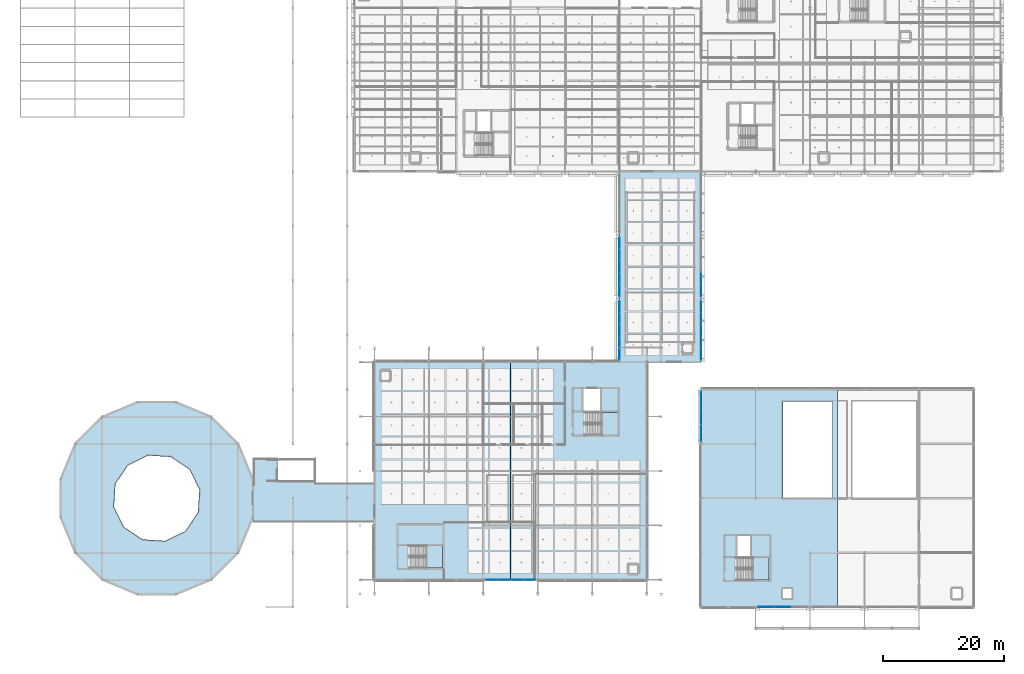
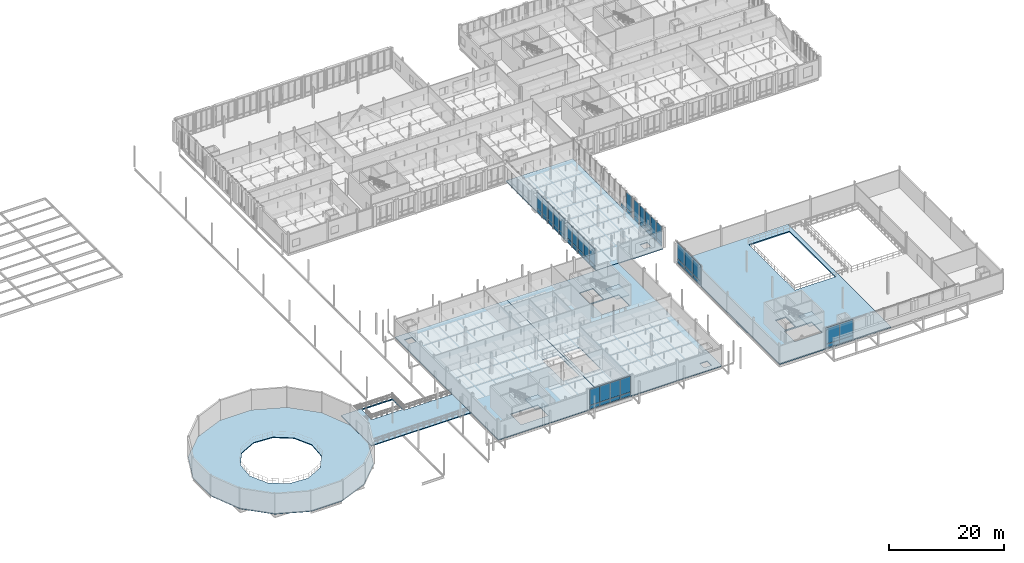
# One storey, part 55 of 130: 51 plates, 9 slabs, 10 elements without a shape of their own.
"""IFC4 building model written with IfcOpenShell, lengths in metres."""

from ifc_helpers import new_model, si_unit, direction, frame, origin, origin_2d, place, context, subcontext, project, spatial, polyline, rectangle, outline, extrude, material, layer, layer_set, type_object, element, aggregate, save


model = new_model("IFC4")

# Units and contexts
model_context = context("Model", 3, precision=1e-05, world=origin(), true_north=direction((0.0, 1.0)))
body_context = subcontext(model_context, "Body", "Model", "MODEL_VIEW")
ifc_project = project(units=[si_unit("LENGTHUNIT", "METRE"), si_unit("AREAUNIT", "SQUARE_METRE"), si_unit("VOLUMEUNIT", "CUBIC_METRE"), si_unit("PLANEANGLEUNIT", "RADIAN"), si_unit("MASSUNIT", "GRAM", prefix="KILO"), si_unit("THERMODYNAMICTEMPERATUREUNIT", "KELVIN"), si_unit("POWERUNIT", "WATT")], contexts=[model_context])

# Site, building, storey
site_placement = place(None, origin())
site = spatial("IfcSite", under=ifc_project, at=site_placement, CompositionType="ELEMENT")
building_placement = place(site_placement, origin())
building = spatial("IfcBuilding", under=site, at=building_placement, Name="Tallowbark Science Centre", CompositionType="ELEMENT")
storey_placement = place(building_placement, frame((0.0, 0.0, 5.39990234375)))
storey = spatial("IfcBuildingStorey", under=building, at=storey_placement, Name="L01", CompositionType="ELEMENT", Elevation=5.39990234375)

# Curtain wall, plates
ifc_material_1 = material(Name="Unitised Thermally Broken Aluminium and Low-E Double Glazing", Category="aluminium")
curtain_wall_type = type_object("IfcCurtainWallType", Name="CW-SYS-FACADE", PredefinedType="NOTDEFINED", material=ifc_material_1)
curtain_wall_1_placement = place(storey_placement, origin())
curtain_wall_1 = element("IfcCurtainWall", 1, at=curtain_wall_1_placement, inside=storey, type_object=curtain_wall_type, Name="Unitised Curtain Wall CUB-PORTAL-L01 CW-L01-001", PredefinedType="NOTDEFINED")
ifc_material_2 = material(Name="Double Glazed Argon Low-E Vision Glass", Category="glass")
ifc_layer_1 = layer(ifc_material_2, 0.028076171875)
ifc_layer_set_1 = layer_set([ifc_layer_1], Name="Double Glazed Argon Low-E Vision Glass")
plate_type_1 = type_object("IfcPlateType", Name="CWP-GLZ-28", PredefinedType="CURTAIN_PANEL", material=ifc_layer_set_1)
plate_1_placement = place(storey_placement, frame((77.90380859375, 4.5, 0.05517578125), z_axis=(0.0, 0.0, 1.0), x_axis=(1.0, 0.0, 0.0)))
plate_1 = element("IfcPlate", 2, at=plate_1_placement, type_object=plate_type_1, Name="CW-01 panel 1.1", PredefinedType="CURTAIN_PANEL", context=body_context, shape_type="SweptSolid", body=[
    extrude(rectangle(XDim=1.9775390625, YDim=0.028076171875, at=origin_2d()), origin(), (0.0, 0.0, 1.0), 0.767578125),
])
plate_2_placement = place(storey_placement, frame((77.90380859375, 4.5, 0.87744140625), z_axis=(0.0, 0.0, 1.0), x_axis=(1.0, 0.0, 0.0)))
plate_2 = element("IfcPlate", 3, at=plate_2_placement, type_object=plate_type_1, Name="CW-01 panel 1.2", PredefinedType="CURTAIN_PANEL", context=body_context, shape_type="SweptSolid", body=[
    extrude(rectangle(XDim=1.9775390625, YDim=0.028076171875, at=origin_2d()), origin(), (0.0, 0.0, 1.0), 3.387451171875),
])
plate_3_placement = place(storey_placement, frame((79.96240234375, 4.5, 0.05517578125), z_axis=(0.0, 0.0, 1.0), x_axis=(1.0, 0.0, 0.0)))
plate_3 = element("IfcPlate", 4, at=plate_3_placement, type_object=plate_type_1, Name="CW-01 panel 2.1", PredefinedType="CURTAIN_PANEL", context=body_context, shape_type="SweptSolid", body=[
    extrude(rectangle(XDim=2.010009765625, YDim=0.028076171875, at=origin_2d()), origin(), (0.0, 0.0, 1.0), 0.767578125),
])
plate_4_placement = place(storey_placement, frame((79.96240234375, 4.5, 0.87744140625), z_axis=(0.0, 0.0, 1.0), x_axis=(1.0, 0.0, 0.0)))
plate_4 = element("IfcPlate", 5, at=plate_4_placement, type_object=plate_type_1, Name="CW-01 panel 2.2", PredefinedType="CURTAIN_PANEL", context=body_context, shape_type="SweptSolid", body=[
    extrude(rectangle(XDim=2.010009765625, YDim=0.028076171875, at=origin_2d()), origin(), (0.0, 0.0, 1.0), 3.387451171875),
])
plate_5_placement = place(storey_placement, frame((82.03759765625, 4.5, 0.05517578125), z_axis=(0.0, 0.0, 1.0), x_axis=(1.0, 0.0, 0.0)))
plate_5 = element("IfcPlate", 6, at=plate_5_placement, type_object=plate_type_1, Name="CW-01 panel 3.1", PredefinedType="CURTAIN_PANEL", context=body_context, shape_type="SweptSolid", body=[
    extrude(rectangle(XDim=2.010009765625, YDim=0.028076171875, at=origin_2d()), origin(), (0.0, 0.0, 1.0), 0.767578125),
])
plate_6_placement = place(storey_placement, frame((82.03759765625, 4.5, 0.87744140625), z_axis=(0.0, 0.0, 1.0), x_axis=(1.0, 0.0, 0.0)))
plate_6 = element("IfcPlate", 7, at=plate_6_placement, type_object=plate_type_1, Name="CW-01 panel 3.2", PredefinedType="CURTAIN_PANEL", context=body_context, shape_type="SweptSolid", body=[
    extrude(rectangle(XDim=2.010009765625, YDim=0.028076171875, at=origin_2d()), origin(), (0.0, 0.0, 1.0), 3.387451171875),
])
plate_7_placement = place(storey_placement, frame((84.09619140625, 4.5, 0.05517578125), z_axis=(0.0, 0.0, 1.0), x_axis=(1.0, 0.0, 0.0)))
plate_7 = element("IfcPlate", 8, at=plate_7_placement, type_object=plate_type_1, Name="CW-01 panel 4.1", PredefinedType="CURTAIN_PANEL", context=body_context, shape_type="SweptSolid", body=[
    extrude(rectangle(XDim=1.9775390625, YDim=0.028076171875, at=origin_2d()), origin(), (0.0, 0.0, 1.0), 0.767578125),
])
plate_8_placement = place(storey_placement, frame((84.09619140625, 4.5, 0.87744140625), z_axis=(0.0, 0.0, 1.0), x_axis=(1.0, 0.0, 0.0)))
plate_8 = element("IfcPlate", 9, at=plate_8_placement, type_object=plate_type_1, Name="CW-01 panel 4.2", PredefinedType="CURTAIN_PANEL", context=body_context, shape_type="SweptSolid", body=[
    extrude(rectangle(XDim=1.9775390625, YDim=0.028076171875, at=origin_2d()), origin(), (0.0, 0.0, 1.0), 3.387451171875),
])
aggregate(curtain_wall_1, [plate_1, plate_2, plate_3, plate_4, plate_5, plate_6, plate_7, plate_8])

curtain_wall_2_placement = place(storey_placement, origin())
curtain_wall_2 = element("IfcCurtainWall", 10, at=curtain_wall_2_placement, inside=storey, type_object=curtain_wall_type, Name="Unitised Curtain Wall THT-POR-S-1 CW-L01-002", PredefinedType="NOTDEFINED")
plate_9_placement = place(storey_placement, frame((123.24951171875, 0.0, 0.05517578125), z_axis=(0.0, 0.0, 1.0), x_axis=(1.0, 0.0, 0.0)))
plate_9 = element("IfcPlate", 11, at=plate_9_placement, type_object=plate_type_1, Name="CW-01 panel 1.1", PredefinedType="CURTAIN_PANEL", context=body_context, shape_type="SweptSolid", body=[
    extrude(rectangle(XDim=2.669189453125, YDim=0.028076171875, at=origin_2d()), origin(), (0.0, 0.0, 1.0), 0.767578125),
])
plate_10_placement = place(storey_placement, frame((123.24951171875, 0.0, 0.87744140625), z_axis=(0.0, 0.0, 1.0), x_axis=(1.0, 0.0, 0.0)))
plate_10 = element("IfcPlate", 12, at=plate_10_placement, type_object=plate_type_1, Name="CW-01 panel 1.2", PredefinedType="CURTAIN_PANEL", context=body_context, shape_type="SweptSolid", body=[
    extrude(rectangle(XDim=2.669189453125, YDim=0.028076171875, at=origin_2d()), origin(), (0.0, 0.0, 1.0), 3.387451171875),
])
plate_11_placement = place(storey_placement, frame((126.0, 0.0, 0.05517578125), z_axis=(0.0, 0.0, 1.0), x_axis=(1.0, 0.0, 0.0)))
plate_11 = element("IfcPlate", 13, at=plate_11_placement, type_object=plate_type_1, Name="CW-01 panel 2.1", PredefinedType="CURTAIN_PANEL", context=body_context, shape_type="SweptSolid", body=[
    extrude(rectangle(XDim=2.70166015625, YDim=0.028076171875, at=origin_2d()), origin(), (0.0, 0.0, 1.0), 0.767578125),
])
plate_12_placement = place(storey_placement, frame((126.0, 0.0, 0.87744140625), z_axis=(0.0, 0.0, 1.0), x_axis=(1.0, 0.0, 0.0)))
plate_12 = element("IfcPlate", 14, at=plate_12_placement, type_object=plate_type_1, Name="CW-01 panel 2.2", PredefinedType="CURTAIN_PANEL", context=body_context, shape_type="SweptSolid", body=[
    extrude(rectangle(XDim=2.70166015625, YDim=0.028076171875, at=origin_2d()), origin(), (0.0, 0.0, 1.0), 3.387451171875),
])
aggregate(curtain_wall_2, [plate_9, plate_10, plate_11, plate_12])

curtain_wall_3_placement = place(storey_placement, origin())
curtain_wall_3 = element("IfcCurtainWall", 15, at=curtain_wall_3_placement, inside=storey, type_object=curtain_wall_type, Name="Unitised Curtain Wall THT-W-3 CW-L01-005", PredefinedType="NOTDEFINED")
plate_13_placement = place(storey_placement, frame((112.5, 34.25048828125, 0.05517578125), z_axis=(0.0, 0.0, 1.0), x_axis=(0.0, -1.0, 0.0)))
plate_13 = element("IfcPlate", 16, at=plate_13_placement, type_object=plate_type_1, Name="CW-01 panel 1.1", PredefinedType="CURTAIN_PANEL", context=body_context, shape_type="SweptSolid", body=[
    extrude(rectangle(XDim=2.669189453125, YDim=0.028076171875, at=origin_2d()), origin(), (0.0, 0.0, 1.0), 0.767578125),
])
plate_14_placement = place(storey_placement, frame((112.5, 34.25048828125, 0.87744140625), z_axis=(0.0, 0.0, 1.0), x_axis=(0.0, -1.0, 0.0)))
plate_14 = element("IfcPlate", 17, at=plate_14_placement, type_object=plate_type_1, Name="CW-01 panel 1.2", PredefinedType="CURTAIN_PANEL", context=body_context, shape_type="SweptSolid", body=[
    extrude(rectangle(XDim=2.669189453125, YDim=0.028076171875, at=origin_2d()), origin(), (0.0, 0.0, 1.0), 3.387451171875),
])
plate_15_placement = place(storey_placement, frame((112.5, 31.5, 0.05517578125), z_axis=(0.0, 0.0, 1.0), x_axis=(0.0, -1.0, 0.0)))
plate_15 = element("IfcPlate", 18, at=plate_15_placement, type_object=plate_type_1, Name="CW-01 panel 2.1", PredefinedType="CURTAIN_PANEL", context=body_context, shape_type="SweptSolid", body=[
    extrude(rectangle(XDim=2.70166015625, YDim=0.028076171875, at=origin_2d()), origin(), (0.0, 0.0, 1.0), 0.767578125),
])
plate_16_placement = place(storey_placement, frame((112.5, 31.5, 0.87744140625), z_axis=(0.0, 0.0, 1.0), x_axis=(0.0, -1.0, 0.0)))
plate_16 = element("IfcPlate", 19, at=plate_16_placement, type_object=plate_type_1, Name="CW-01 panel 2.2", PredefinedType="CURTAIN_PANEL", context=body_context, shape_type="SweptSolid", body=[
    extrude(rectangle(XDim=2.70166015625, YDim=0.028076171875, at=origin_2d()), origin(), (0.0, 0.0, 1.0), 3.387451171875),
])
plate_17_placement = place(storey_placement, frame((112.5, 28.74951171875, 0.05517578125), z_axis=(0.0, 0.0, 1.0), x_axis=(0.0, -1.0, 0.0)))
plate_17 = element("IfcPlate", 20, at=plate_17_placement, type_object=plate_type_1, Name="CW-01 panel 3.1", PredefinedType="CURTAIN_PANEL", context=body_context, shape_type="SweptSolid", body=[
    extrude(rectangle(XDim=2.669189453125, YDim=0.028076171875, at=origin_2d()), origin(), (0.0, 0.0, 1.0), 0.767578125),
])
plate_18_placement = place(storey_placement, frame((112.5, 28.74951171875, 0.87744140625), z_axis=(0.0, 0.0, 1.0), x_axis=(0.0, -1.0, 0.0)))
plate_18 = element("IfcPlate", 21, at=plate_18_placement, type_object=plate_type_1, Name="CW-01 panel 3.2", PredefinedType="CURTAIN_PANEL", context=body_context, shape_type="SweptSolid", body=[
    extrude(rectangle(XDim=2.669189453125, YDim=0.028076171875, at=origin_2d()), origin(), (0.0, 0.0, 1.0), 3.387451171875),
])
aggregate(curtain_wall_3, [plate_13, plate_14, plate_15, plate_16, plate_17, plate_18])

curtain_wall_4_placement = place(storey_placement, origin())
curtain_wall_4 = element("IfcCurtainWall", 22, at=curtain_wall_4_placement, inside=storey, type_object=curtain_wall_type, Name="Unitised Curtain Wall LNK-W-0 CW-L01-010", PredefinedType="NOTDEFINED")
plate_19_placement = place(storey_placement, frame((99.0, 49.65380859375, 0.05517578125), z_axis=(0.0, 0.0, 1.0), x_axis=(0.0, -1.0, 0.0)))
plate_19 = element("IfcPlate", 23, at=plate_19_placement, type_object=plate_type_1, Name="CW-01 panel 1.1", PredefinedType="CURTAIN_PANEL", context=body_context, shape_type="SweptSolid", body=[
    extrude(rectangle(XDim=1.862548828125, YDim=0.028076171875, at=origin_2d()), origin(), (0.0, 0.0, 1.0), 0.767578125),
])
plate_20_placement = place(storey_placement, frame((99.0, 49.65380859375, 0.87744140625), z_axis=(0.0, 0.0, 1.0), x_axis=(0.0, -1.0, 0.0)))
plate_20 = element("IfcPlate", 24, at=plate_20_placement, type_object=plate_type_1, Name="CW-01 panel 1.2", PredefinedType="CURTAIN_PANEL", context=body_context, shape_type="SweptSolid", body=[
    extrude(rectangle(XDim=1.862548828125, YDim=0.028076171875, at=origin_2d()), origin(), (0.0, 0.0, 1.0), 3.387451171875),
])
plate_21_placement = place(storey_placement, frame((99.0, 47.7099609375, 0.05517578125), z_axis=(0.0, 0.0, 1.0), x_axis=(0.0, -1.0, 0.0)))
plate_21 = element("IfcPlate", 25, at=plate_21_placement, type_object=plate_type_1, Name="CW-01 panel 2.1", PredefinedType="CURTAIN_PANEL", context=body_context, shape_type="SweptSolid", body=[
    extrude(rectangle(XDim=1.89501953125, YDim=0.028076171875, at=origin_2d()), origin(), (0.0, 0.0, 1.0), 0.767578125),
])
plate_22_placement = place(storey_placement, frame((99.0, 47.7099609375, 0.87744140625), z_axis=(0.0, 0.0, 1.0), x_axis=(0.0, -1.0, 0.0)))
plate_22 = element("IfcPlate", 26, at=plate_22_placement, type_object=plate_type_1, Name="CW-01 panel 2.2", PredefinedType="CURTAIN_PANEL", context=body_context, shape_type="SweptSolid", body=[
    extrude(rectangle(XDim=1.89501953125, YDim=0.028076171875, at=origin_2d()), origin(), (0.0, 0.0, 1.0), 3.387451171875),
])
plate_23_placement = place(storey_placement, frame((99.0, 45.75, 0.05517578125), z_axis=(0.0, 0.0, 1.0), x_axis=(0.0, -1.0, 0.0)))
plate_23 = element("IfcPlate", 27, at=plate_23_placement, type_object=plate_type_1, Name="CW-01 panel 3.1", PredefinedType="CURTAIN_PANEL", context=body_context, shape_type="SweptSolid", body=[
    extrude(rectangle(XDim=1.89501953125, YDim=0.028076171875, at=origin_2d()), origin(), (0.0, 0.0, 1.0), 0.767578125),
])
plate_24_placement = place(storey_placement, frame((99.0, 45.75, 0.87744140625), z_axis=(0.0, 0.0, 1.0), x_axis=(0.0, -1.0, 0.0)))
plate_24 = element("IfcPlate", 28, at=plate_24_placement, type_object=plate_type_1, Name="CW-01 panel 3.2", PredefinedType="CURTAIN_PANEL", context=body_context, shape_type="SweptSolid", body=[
    extrude(rectangle(XDim=1.89501953125, YDim=0.028076171875, at=origin_2d()), origin(), (0.0, 0.0, 1.0), 3.387451171875),
])
plate_25_placement = place(storey_placement, frame((99.0, 43.7900390625, 0.05517578125), z_axis=(0.0, 0.0, 1.0), x_axis=(0.0, -1.0, 0.0)))
plate_25 = element("IfcPlate", 29, at=plate_25_placement, type_object=plate_type_1, Name="CW-01 panel 4.1", PredefinedType="CURTAIN_PANEL", context=body_context, shape_type="SweptSolid", body=[
    extrude(rectangle(XDim=1.89501953125, YDim=0.028076171875, at=origin_2d()), origin(), (0.0, 0.0, 1.0), 0.767578125),
])
plate_26_placement = place(storey_placement, frame((99.0, 43.7900390625, 0.87744140625), z_axis=(0.0, 0.0, 1.0), x_axis=(0.0, -1.0, 0.0)))
plate_26 = element("IfcPlate", 30, at=plate_26_placement, type_object=plate_type_1, Name="CW-01 panel 4.2", PredefinedType="CURTAIN_PANEL", context=body_context, shape_type="SweptSolid", body=[
    extrude(rectangle(XDim=1.89501953125, YDim=0.028076171875, at=origin_2d()), origin(), (0.0, 0.0, 1.0), 3.387451171875),
])
plate_27_placement = place(storey_placement, frame((99.0, 41.84619140625, 0.05517578125), z_axis=(0.0, 0.0, 1.0), x_axis=(0.0, -1.0, 0.0)))
plate_27 = element("IfcPlate", 31, at=plate_27_placement, type_object=plate_type_1, Name="CW-01 panel 5.1", PredefinedType="CURTAIN_PANEL", context=body_context, shape_type="SweptSolid", body=[
    extrude(rectangle(XDim=1.862548828125, YDim=0.028076171875, at=origin_2d()), origin(), (0.0, 0.0, 1.0), 0.767578125),
])
plate_28_placement = place(storey_placement, frame((99.0, 41.84619140625, 0.87744140625), z_axis=(0.0, 0.0, 1.0), x_axis=(0.0, -1.0, 0.0)))
plate_28 = element("IfcPlate", 32, at=plate_28_placement, type_object=plate_type_1, Name="CW-01 panel 5.2", PredefinedType="CURTAIN_PANEL", context=body_context, shape_type="SweptSolid", body=[
    extrude(rectangle(XDim=1.862548828125, YDim=0.028076171875, at=origin_2d()), origin(), (0.0, 0.0, 1.0), 3.387451171875),
])
aggregate(curtain_wall_4, [plate_19, plate_20, plate_21, plate_22, plate_23, plate_24, plate_25, plate_26, plate_27, plate_28])

curtain_wall_5_placement = place(storey_placement, origin())
curtain_wall_5 = element("IfcCurtainWall", 33, at=curtain_wall_5_placement, inside=storey, type_object=curtain_wall_type, Name="Unitised Curtain Wall LNK-E-0 CW-L01-011", PredefinedType="NOTDEFINED")
plate_29_placement = place(storey_placement, frame((112.5, 41.84619140625, 0.05517578125), z_axis=(0.0, 0.0, 1.0), x_axis=(0.0, 1.0, 0.0)))
plate_29 = element("IfcPlate", 34, at=plate_29_placement, type_object=plate_type_1, Name="CW-01 panel 1.1", PredefinedType="CURTAIN_PANEL", context=body_context, shape_type="SweptSolid", body=[
    extrude(rectangle(XDim=1.862548828125, YDim=0.028076171875, at=origin_2d()), origin(), (0.0, 0.0, 1.0), 0.767578125),
])
plate_30_placement = place(storey_placement, frame((112.5, 41.84619140625, 0.87744140625), z_axis=(0.0, 0.0, 1.0), x_axis=(0.0, 1.0, 0.0)))
plate_30 = element("IfcPlate", 35, at=plate_30_placement, type_object=plate_type_1, Name="CW-01 panel 1.2", PredefinedType="CURTAIN_PANEL", context=body_context, shape_type="SweptSolid", body=[
    extrude(rectangle(XDim=1.862548828125, YDim=0.028076171875, at=origin_2d()), origin(), (0.0, 0.0, 1.0), 3.387451171875),
])
plate_31_placement = place(storey_placement, frame((112.5, 43.7900390625, 0.05517578125), z_axis=(0.0, 0.0, 1.0), x_axis=(0.0, 1.0, 0.0)))
plate_31 = element("IfcPlate", 36, at=plate_31_placement, type_object=plate_type_1, Name="CW-01 panel 2.1", PredefinedType="CURTAIN_PANEL", context=body_context, shape_type="SweptSolid", body=[
    extrude(rectangle(XDim=1.89501953125, YDim=0.028076171875, at=origin_2d()), origin(), (0.0, 0.0, 1.0), 0.767578125),
])
plate_32_placement = place(storey_placement, frame((112.5, 43.7900390625, 0.87744140625), z_axis=(0.0, 0.0, 1.0), x_axis=(0.0, 1.0, 0.0)))
plate_32 = element("IfcPlate", 37, at=plate_32_placement, type_object=plate_type_1, Name="CW-01 panel 2.2", PredefinedType="CURTAIN_PANEL", context=body_context, shape_type="SweptSolid", body=[
    extrude(rectangle(XDim=1.89501953125, YDim=0.028076171875, at=origin_2d()), origin(), (0.0, 0.0, 1.0), 3.387451171875),
])
plate_33_placement = place(storey_placement, frame((112.5, 45.75, 0.05517578125), z_axis=(0.0, 0.0, 1.0), x_axis=(0.0, 1.0, 0.0)))
plate_33 = element("IfcPlate", 38, at=plate_33_placement, type_object=plate_type_1, Name="CW-01 panel 3.1", PredefinedType="CURTAIN_PANEL", context=body_context, shape_type="SweptSolid", body=[
    extrude(rectangle(XDim=1.89501953125, YDim=0.028076171875, at=origin_2d()), origin(), (0.0, 0.0, 1.0), 0.767578125),
])
plate_34_placement = place(storey_placement, frame((112.5, 45.75, 0.87744140625), z_axis=(0.0, 0.0, 1.0), x_axis=(0.0, 1.0, 0.0)))
plate_34 = element("IfcPlate", 39, at=plate_34_placement, type_object=plate_type_1, Name="CW-01 panel 3.2", PredefinedType="CURTAIN_PANEL", context=body_context, shape_type="SweptSolid", body=[
    extrude(rectangle(XDim=1.89501953125, YDim=0.028076171875, at=origin_2d()), origin(), (0.0, 0.0, 1.0), 3.387451171875),
])
plate_35_placement = place(storey_placement, frame((112.5, 47.7099609375, 0.05517578125), z_axis=(0.0, 0.0, 1.0), x_axis=(0.0, 1.0, 0.0)))
plate_35 = element("IfcPlate", 40, at=plate_35_placement, type_object=plate_type_1, Name="CW-01 panel 4.1", PredefinedType="CURTAIN_PANEL", context=body_context, shape_type="SweptSolid", body=[
    extrude(rectangle(XDim=1.89501953125, YDim=0.028076171875, at=origin_2d()), origin(), (0.0, 0.0, 1.0), 0.767578125),
])
plate_36_placement = place(storey_placement, frame((112.5, 47.7099609375, 0.87744140625), z_axis=(0.0, 0.0, 1.0), x_axis=(0.0, 1.0, 0.0)))
plate_36 = element("IfcPlate", 41, at=plate_36_placement, type_object=plate_type_1, Name="CW-01 panel 4.2", PredefinedType="CURTAIN_PANEL", context=body_context, shape_type="SweptSolid", body=[
    extrude(rectangle(XDim=1.89501953125, YDim=0.028076171875, at=origin_2d()), origin(), (0.0, 0.0, 1.0), 3.387451171875),
])
plate_37_placement = place(storey_placement, frame((112.5, 49.65380859375, 0.05517578125), z_axis=(0.0, 0.0, 1.0), x_axis=(0.0, 1.0, 0.0)))
plate_37 = element("IfcPlate", 42, at=plate_37_placement, type_object=plate_type_1, Name="CW-01 panel 5.1", PredefinedType="CURTAIN_PANEL", context=body_context, shape_type="SweptSolid", body=[
    extrude(rectangle(XDim=1.862548828125, YDim=0.028076171875, at=origin_2d()), origin(), (0.0, 0.0, 1.0), 0.767578125),
])
plate_38_placement = place(storey_placement, frame((112.5, 49.65380859375, 0.87744140625), z_axis=(0.0, 0.0, 1.0), x_axis=(0.0, 1.0, 0.0)))
plate_38 = element("IfcPlate", 43, at=plate_38_placement, type_object=plate_type_1, Name="CW-01 panel 5.2", PredefinedType="CURTAIN_PANEL", context=body_context, shape_type="SweptSolid", body=[
    extrude(rectangle(XDim=1.862548828125, YDim=0.028076171875, at=origin_2d()), origin(), (0.0, 0.0, 1.0), 3.387451171875),
])
aggregate(curtain_wall_5, [plate_29, plate_30, plate_31, plate_32, plate_33, plate_34, plate_35, plate_36, plate_37, plate_38])

curtain_wall_6_placement = place(storey_placement, origin())
curtain_wall_6 = element("IfcCurtainWall", 44, at=curtain_wall_6_placement, inside=storey, type_object=curtain_wall_type, Name="Unitised Curtain Wall LNK-E-1 CW-L01-013", PredefinedType="NOTDEFINED")
plate_39_placement = place(storey_placement, frame((112.5, 52.34619140625, 0.05517578125), z_axis=(0.0, 0.0, 1.0), x_axis=(0.0, 1.0, 0.0)))
plate_39 = element("IfcPlate", 45, at=plate_39_placement, type_object=plate_type_1, Name="CW-01 panel 1.1", PredefinedType="CURTAIN_PANEL", context=body_context, shape_type="SweptSolid", body=[
    extrude(rectangle(XDim=1.862548828125, YDim=0.028076171875, at=origin_2d()), origin(), (0.0, 0.0, 1.0), 0.767578125),
])
plate_40_placement = place(storey_placement, frame((112.5, 52.34619140625, 0.87744140625), z_axis=(0.0, 0.0, 1.0), x_axis=(0.0, 1.0, 0.0)))
plate_40 = element("IfcPlate", 46, at=plate_40_placement, type_object=plate_type_1, Name="CW-01 panel 1.2", PredefinedType="CURTAIN_PANEL", context=body_context, shape_type="SweptSolid", body=[
    extrude(rectangle(XDim=1.862548828125, YDim=0.028076171875, at=origin_2d()), origin(), (0.0, 0.0, 1.0), 3.387451171875),
])
plate_41_placement = place(storey_placement, frame((112.5, 54.2900390625, 0.05517578125), z_axis=(0.0, 0.0, 1.0), x_axis=(0.0, 1.0, 0.0)))
plate_41 = element("IfcPlate", 47, at=plate_41_placement, type_object=plate_type_1, Name="CW-01 panel 2.1", PredefinedType="CURTAIN_PANEL", context=body_context, shape_type="SweptSolid", body=[
    extrude(rectangle(XDim=1.89501953125, YDim=0.028076171875, at=origin_2d()), origin(), (0.0, 0.0, 1.0), 0.767578125),
])
aggregate(curtain_wall_6, [plate_39, plate_40, plate_41])

curtain_wall_7_placement = place(storey_placement, origin())
curtain_wall_7 = element("IfcCurtainWall", 48, at=curtain_wall_7_placement, inside=storey, type_object=curtain_wall_type, Name="Unitised Curtain Wall LNK-W-1 CW-L01-012", PredefinedType="NOTDEFINED")
ifc_material_3 = material(Name="Ceramic-Fritted Insulated Glass Spandrel Panel", Category="glass")
ifc_layer_2 = layer(ifc_material_3, 0.031982421875)
ifc_layer_set_2 = layer_set([ifc_layer_2], Name="Ceramic-Fritted Insulated Glass Spandrel Panel")
plate_type_2 = type_object("IfcPlateType", Name="CWP-SPN-32", PredefinedType="CURTAIN_PANEL", material=ifc_layer_set_2)
plate_42_placement = place(storey_placement, frame((99.0, 60.15380859375, 0.05517578125), z_axis=(0.0, 0.0, 1.0), x_axis=(0.0, -1.0, 0.0)))
plate_42 = element("IfcPlate", 49, at=plate_42_placement, type_object=plate_type_2, Name="CW-01 panel 1.1", PredefinedType="CURTAIN_PANEL", context=body_context, shape_type="SweptSolid", body=[
    extrude(rectangle(XDim=1.862548828125, YDim=0.031982421875, at=origin_2d()), origin(), (0.0, 0.0, 1.0), 0.767578125),
])
plate_43_placement = place(storey_placement, frame((99.0, 60.15380859375, 0.87744140625), z_axis=(0.0, 0.0, 1.0), x_axis=(0.0, -1.0, 0.0)))
plate_43 = element("IfcPlate", 50, at=plate_43_placement, type_object=plate_type_2, Name="CW-01 panel 1.2", PredefinedType="CURTAIN_PANEL", context=body_context, shape_type="SweptSolid", body=[
    extrude(rectangle(XDim=1.862548828125, YDim=0.031982421875, at=origin_2d()), origin(), (0.0, 0.0, 1.0), 3.387451171875),
])
plate_44_placement = place(storey_placement, frame((99.0, 58.2099609375, 0.05517578125), z_axis=(0.0, 0.0, 1.0), x_axis=(0.0, -1.0, 0.0)))
plate_44 = element("IfcPlate", 51, at=plate_44_placement, type_object=plate_type_2, Name="CW-01 panel 2.1", PredefinedType="CURTAIN_PANEL", context=body_context, shape_type="SweptSolid", body=[
    extrude(rectangle(XDim=1.89501953125, YDim=0.031982421875, at=origin_2d()), origin(), (0.0, 0.0, 1.0), 0.767578125),
])
plate_45_placement = place(storey_placement, frame((99.0, 58.2099609375, 0.87744140625), z_axis=(0.0, 0.0, 1.0), x_axis=(0.0, -1.0, 0.0)))
plate_45 = element("IfcPlate", 52, at=plate_45_placement, type_object=plate_type_2, Name="CW-01 panel 2.2", PredefinedType="CURTAIN_PANEL", context=body_context, shape_type="SweptSolid", body=[
    extrude(rectangle(XDim=1.89501953125, YDim=0.031982421875, at=origin_2d()), origin(), (0.0, 0.0, 1.0), 3.387451171875),
])
plate_46_placement = place(storey_placement, frame((99.0, 56.25, 0.05517578125), z_axis=(0.0, 0.0, 1.0), x_axis=(0.0, -1.0, 0.0)))
plate_46 = element("IfcPlate", 53, at=plate_46_placement, type_object=plate_type_2, Name="CW-01 panel 3.1", PredefinedType="CURTAIN_PANEL", context=body_context, shape_type="SweptSolid", body=[
    extrude(rectangle(XDim=1.89501953125, YDim=0.031982421875, at=origin_2d()), origin(), (0.0, 0.0, 1.0), 0.767578125),
])
plate_47_placement = place(storey_placement, frame((99.0, 56.25, 0.87744140625), z_axis=(0.0, 0.0, 1.0), x_axis=(0.0, -1.0, 0.0)))
plate_47 = element("IfcPlate", 54, at=plate_47_placement, type_object=plate_type_2, Name="CW-01 panel 3.2", PredefinedType="CURTAIN_PANEL", context=body_context, shape_type="SweptSolid", body=[
    extrude(rectangle(XDim=1.89501953125, YDim=0.031982421875, at=origin_2d()), origin(), (0.0, 0.0, 1.0), 3.387451171875),
])
plate_48_placement = place(storey_placement, frame((99.0, 54.2900390625, 0.05517578125), z_axis=(0.0, 0.0, 1.0), x_axis=(0.0, -1.0, 0.0)))
plate_48 = element("IfcPlate", 55, at=plate_48_placement, type_object=plate_type_2, Name="CW-01 panel 4.1", PredefinedType="CURTAIN_PANEL", context=body_context, shape_type="SweptSolid", body=[
    extrude(rectangle(XDim=1.89501953125, YDim=0.031982421875, at=origin_2d()), origin(), (0.0, 0.0, 1.0), 0.767578125),
])
plate_49_placement = place(storey_placement, frame((99.0, 54.2900390625, 0.87744140625), z_axis=(0.0, 0.0, 1.0), x_axis=(0.0, -1.0, 0.0)))
plate_49 = element("IfcPlate", 56, at=plate_49_placement, type_object=plate_type_2, Name="CW-01 panel 4.2", PredefinedType="CURTAIN_PANEL", context=body_context, shape_type="SweptSolid", body=[
    extrude(rectangle(XDim=1.89501953125, YDim=0.031982421875, at=origin_2d()), origin(), (0.0, 0.0, 1.0), 3.387451171875),
])
plate_50_placement = place(storey_placement, frame((99.0, 52.34619140625, 0.05517578125), z_axis=(0.0, 0.0, 1.0), x_axis=(0.0, -1.0, 0.0)))
plate_50 = element("IfcPlate", 57, at=plate_50_placement, type_object=plate_type_2, Name="CW-01 panel 5.1", PredefinedType="CURTAIN_PANEL", context=body_context, shape_type="SweptSolid", body=[
    extrude(rectangle(XDim=1.862548828125, YDim=0.031982421875, at=origin_2d()), origin(), (0.0, 0.0, 1.0), 0.767578125),
])
plate_51_placement = place(storey_placement, frame((99.0, 52.34619140625, 0.87744140625), z_axis=(0.0, 0.0, 1.0), x_axis=(0.0, -1.0, 0.0)))
plate_51 = element("IfcPlate", 58, at=plate_51_placement, type_object=plate_type_2, Name="CW-01 panel 5.2", PredefinedType="CURTAIN_PANEL", context=body_context, shape_type="SweptSolid", body=[
    extrude(rectangle(XDim=1.862548828125, YDim=0.031982421875, at=origin_2d()), origin(), (0.0, 0.0, 1.0), 3.387451171875),
])
aggregate(curtain_wall_7, [plate_42, plate_43, plate_44, plate_45, plate_46, plate_47, plate_48, plate_49, plate_50, plate_51])

# Slabs
ifc_material_4 = material(Name="Concrete Grade N40 (40 MPa)", Category="concrete")
ifc_layer_3 = layer(ifc_material_4, 0.179931640625)
ifc_layer_set_3 = layer_set([ifc_layer_3], Name="Concrete Grade N40 (40 MPa)")
slab_type_1 = type_object("IfcSlabType", Name="SLB-FLR-180", PredefinedType="FLOOR", material=ifc_layer_set_3)
slab_1_placement = place(storey_placement, frame((0.0, 0.0, -0.179931640625)))
element("IfcSlab", 59, at=slab_1_placement, inside=storey, type_object=slab_type_1, Name="Planetarium Gallery Slab SLB-DRM-L01", PredefinedType="FLOOR", context=body_context, shape_type="SweptSolid", body=[
    extrude(outline(polyline([(38.388671875, 21.160400390625), (35.9697265625, 27.000244140625), (31.500244140625, 31.4697265625), (25.660400390625, 33.888671875), (19.339599609375, 33.888671875), (13.499755859375, 31.4697265625), (9.0302734375, 27.000244140625), (6.611328125, 21.160400390625), (6.611328125, 14.839599609375), (9.0302734375, 8.999755859375), (13.499755859375, 4.5302734375), (19.339599609375, 2.111328125), (25.660400390625, 2.111328125), (31.500244140625, 4.5302734375), (35.9697265625, 8.999755859375), (38.388671875, 14.839599609375), (38.388671875, 21.160400390625)]), holes=[polyline([(29.561767578125, 19.404541015625), (27.913330078125, 22.747314453125), (24.814453125, 24.81787109375), (21.095458984375, 25.061767578125), (17.752685546875, 23.413330078125), (15.68212890625, 20.314453125), (15.438232421875, 16.595458984375), (17.086669921875, 13.252685546875), (20.185546875, 11.18212890625), (23.904541015625, 10.938232421875), (27.247314453125, 12.586669921875), (29.31787109375, 15.685546875), (29.561767578125, 19.404541015625)])]), origin(), (0.0, 0.0, 1.0), 0.179931640625),
])
slab_2_placement = place(storey_placement, frame((0.0, 0.0, -0.179931640625)))
element("IfcSlab", 60, at=slab_2_placement, inside=storey, type_object=slab_type_1, Name="Exhibition Hall West Slab SLB-CUB-W-L01", PredefinedType="FLOOR", context=body_context, shape_type="SweptSolid", body=[
    extrude(outline(polyline([(58.5, 4.5), (81.0, 4.5), (81.0, 40.5), (58.5, 40.5), (58.5, 4.5)]), holes=[polyline([(64.2099609375, 6.449951171875), (69.75, 6.449951171875), (69.75, 10.169921875), (64.2099609375, 10.169921875), (64.2099609375, 6.449951171875)]), polyline([(59.5, 37.5), (61.0, 37.5), (61.0, 39.0), (59.5, 39.0), (59.5, 37.5)]), polyline([(77.199951171875, 14.300048828125), (80.5, 14.300048828125), (80.5, 21.699951171875), (77.199951171875, 21.699951171875), (77.199951171875, 14.300048828125)])]), origin(), (0.0, 0.0, 1.0), 0.179931640625),
])
slab_3_placement = place(storey_placement, frame((0.0, 0.0, -0.179931640625)))
element("IfcSlab", 61, at=slab_3_placement, inside=storey, type_object=slab_type_1, Name="Exhibition Hall East Slab SLB-CUB-E-L01", PredefinedType="FLOOR", context=body_context, shape_type="SweptSolid", body=[
    extrude(outline(polyline([(81.0, 4.5), (103.5, 4.5), (103.5, 40.5), (81.0, 40.5), (81.0, 4.5)]), holes=[polyline([(93.2099609375, 28.449951171875), (98.75, 28.449951171875), (98.75, 32.169921875), (93.2099609375, 32.169921875), (93.2099609375, 28.449951171875)]), polyline([(93.0, 32.419921875), (95.800048828125, 32.419921875), (95.800048828125, 36.050048828125), (93.0, 36.050048828125), (93.0, 32.419921875)]), polyline([(100.5, 5.5), (102.0, 5.5), (102.0, 7.0), (100.5, 7.0), (100.5, 5.5)]), polyline([(81.5, 14.300048828125), (84.800048828125, 14.300048828125), (84.800048828125, 21.699951171875), (81.5, 21.699951171875), (81.5, 14.300048828125)])]), origin(), (0.0, 0.0, 1.0), 0.179931640625),
])
slab_4_placement = place(storey_placement, frame((0.0, 0.0, -0.179931640625)))
element("IfcSlab", 62, at=slab_4_placement, inside=storey, type_object=slab_type_1, Name="Planetarium-Exhibition Concourse Bridge L01 SLB-PAS-BRG-L01", PredefinedType="FLOOR", context=body_context, shape_type="SweptSolid", body=[
    extrude(outline(polyline([(38.419921875, 14.0), (58.5, 14.0), (58.5, 20.5), (48.800048828125, 20.5), (48.800048828125, 24.60009765625), (38.419921875, 24.60009765625), (38.419921875, 14.0)]), holes=[polyline([(42.449951171875, 20.800048828125), (48.60009765625, 20.800048828125), (48.60009765625, 24.340087890625), (42.449951171875, 24.340087890625), (42.449951171875, 20.800048828125)])]), origin(), (0.0, 0.0, 1.0), 0.179931640625),
])
slab_5_placement = place(storey_placement, frame((0.0, 0.0, -0.179931640625)))
element("IfcSlab", 63, at=slab_5_placement, inside=storey, type_object=slab_type_1, Name="East Link Gallery Slab SLB-LNK-L01", PredefinedType="FLOOR", context=body_context, shape_type="SweptSolid", body=[
    extrude(outline(polyline([(99.0, 40.5), (112.47509765625, 40.5), (112.47509765625, 72.0), (99.0, 72.0), (99.0, 40.5)]), holes=[polyline([(109.5, 42.0), (111.0, 42.0), (111.0, 43.5), (109.5, 43.5), (109.5, 42.0)])]), origin(), (0.0, 0.0, 1.0), 0.179931640625),
])
ifc_layer_4 = layer(ifc_material_4, 0.239990234375)
ifc_layer_set_4 = layer_set([ifc_layer_4], Name="Concrete Grade N40 (40 MPa)")
slab_type_2 = type_object("IfcSlabType", Name="SLB-GND-240", PredefinedType="FLOOR", material=ifc_layer_set_4)
slab_6_placement = place(storey_placement, frame((0.0, 0.0, -0.239990234375)))
element("IfcSlab", 64, at=slab_6_placement, inside=storey, type_object=slab_type_2, Name="Theatre West Slab SLB-THT-W-L01", PredefinedType="FLOOR", context=body_context, shape_type="SweptSolid", body=[
    extrude(outline(polyline([(112.52490234375, 0.0), (135.0, 0.0), (135.0, 36.0), (112.52490234375, 36.0), (112.52490234375, 0.0)]), holes=[polyline([(118.2099609375, 4.449951171875), (123.75, 4.449951171875), (123.75, 8.169921875), (118.2099609375, 8.169921875), (118.2099609375, 4.449951171875)]), polyline([(118.5, 8.419921875), (120.60009765625, 8.419921875), (120.60009765625, 11.75), (118.5, 11.75), (118.5, 8.419921875)]), polyline([(126.0, 1.5), (127.5, 1.5), (127.5, 3.0), (126.0, 3.0), (126.0, 1.5)]), polyline([(126.0, 18.0), (134.199951171875, 18.0), (134.199951171875, 34.0), (126.0, 34.0), (126.0, 18.0)])]), origin(), (0.0, 0.0, 1.0), 0.239990234375),
])

# Stair, slab
stair_type_1 = type_object("IfcStairType", Name="STR-C3", PredefinedType="HALF_TURN_STAIR", material=ifc_material_4)
stair_1_placement = place(storey_placement, origin())
stair_1 = element("IfcStair", 65, at=stair_1_placement, inside=storey, type_object=stair_type_1, Name="L01 Fire Stair ST-03", PredefinedType="HALF_TURN_STAIR")
ifc_layer_5 = layer(ifc_material_4, 0.199951171875)
ifc_layer_set_5 = layer_set([ifc_layer_5], Name="Concrete Grade N40 (40 MPa)")
slab_type_3 = type_object("IfcSlabType", Name="SLB-LND-200", PredefinedType="LANDING", material=ifc_layer_set_5)
slab_7_placement = place(storey_placement, frame((0.0, 0.0, 2.050048828125)))
slab_7 = element("IfcSlab", 66, at=slab_7_placement, type_object=slab_type_3, Name="ST-03 landing 1", PredefinedType="LANDING", context=body_context, shape_type="SweptSolid", body=[
    extrude(outline(polyline([(96.125, 28.449951171875), (98.75, 28.449951171875), (98.75, 32.169921875), (96.125, 32.169921875), (96.125, 28.449951171875)])), origin(), (0.0, 0.0, 1.0), 0.199951171875),
])
aggregate(stair_1, [slab_7])

stair_type_2 = type_object("IfcStairType", Name="STR-C6", PredefinedType="HALF_TURN_STAIR", material=ifc_material_4)
stair_2_placement = place(storey_placement, origin())
stair_2 = element("IfcStair", 67, at=stair_2_placement, inside=storey, type_object=stair_type_2, Name="L01 Fire Stair ST-06", PredefinedType="HALF_TURN_STAIR")
slab_8_placement = place(storey_placement, frame((0.0, 0.0, 2.050048828125)))
slab_8 = element("IfcSlab", 68, at=slab_8_placement, type_object=slab_type_3, Name="ST-06 landing 1", PredefinedType="LANDING", context=body_context, shape_type="SweptSolid", body=[
    extrude(outline(polyline([(121.125, 4.449951171875), (123.75, 4.449951171875), (123.75, 8.169921875), (121.125, 8.169921875), (121.125, 4.449951171875)])), origin(), (0.0, 0.0, 1.0), 0.199951171875),
])
aggregate(stair_2, [slab_8])

stair_type_3 = type_object("IfcStairType", Name="STR-C7", PredefinedType="HALF_TURN_STAIR", material=ifc_material_4)
stair_3_placement = place(storey_placement, origin())
stair_3 = element("IfcStair", 69, at=stair_3_placement, inside=storey, type_object=stair_type_3, Name="L01 Fire Stair ST-07", PredefinedType="HALF_TURN_STAIR")
slab_9_placement = place(storey_placement, frame((0.0, 0.0, 2.050048828125)))
slab_9 = element("IfcSlab", 70, at=slab_9_placement, type_object=slab_type_3, Name="ST-07 landing 1", PredefinedType="LANDING", context=body_context, shape_type="SweptSolid", body=[
    extrude(outline(polyline([(67.125, 6.449951171875), (69.75, 6.449951171875), (69.75, 10.169921875), (67.125, 10.169921875), (67.125, 6.449951171875)])), origin(), (0.0, 0.0, 1.0), 0.199951171875),
])
aggregate(stair_3, [slab_9])

save(model, "model.ifc")
